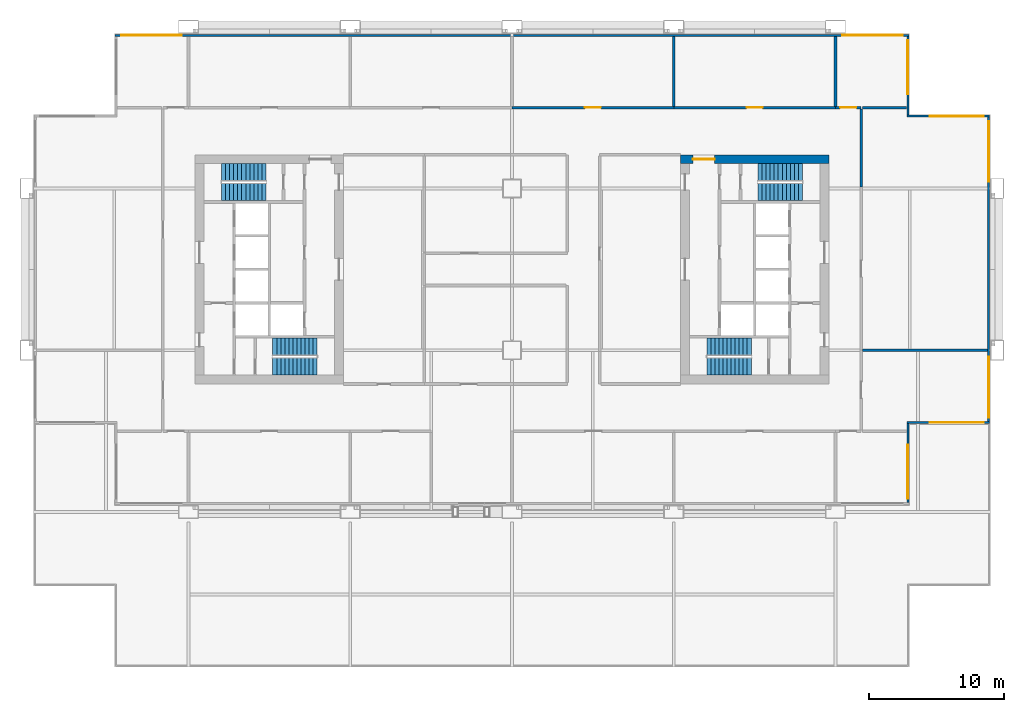
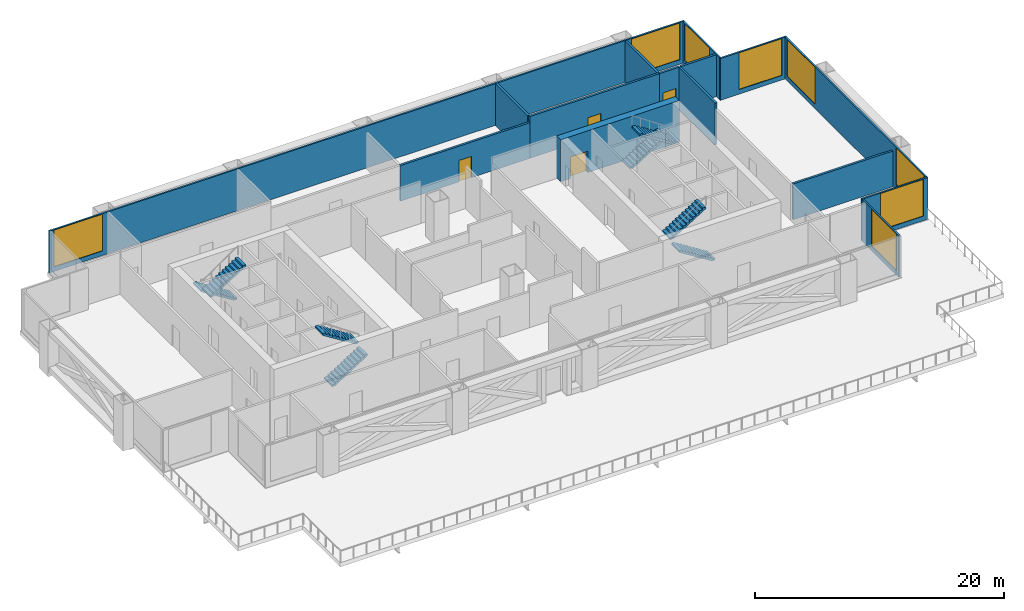
# One storey, part 7 of 8: 15 walls, 8 stair flights, 8 windows, 4 doors, 12 openings, 4 elements without a shape of their own.
"""IFC4 building model written with IfcOpenShell, lengths in metres."""

from ifc_helpers import new_model, si_unit, direction, frame, frame_2d, origin, place, context, subcontext, project, spatial, polyline, rectangle, outline, extrude, material, layer, layer_set, type_object, element, fill, aggregate, save


model = new_model("IFC4")

# Units and contexts
model_context = context("Model", 3, precision=1e-05, world=origin(), true_north=direction((0.0, 1.0)))
body_context = subcontext(model_context, "Body", "Model", "MODEL_VIEW")
ifc_project = project(units=[si_unit("LENGTHUNIT", "METRE"), si_unit("AREAUNIT", "SQUARE_METRE"), si_unit("VOLUMEUNIT", "CUBIC_METRE"), si_unit("PLANEANGLEUNIT", "RADIAN"), si_unit("MASSUNIT", "GRAM", prefix="KILO")], contexts=[model_context])

# Site, building, storey
site_placement = place(None, origin())
site = spatial("IfcSite", under=ifc_project, at=site_placement, CompositionType="ELEMENT")
building_placement = place(site_placement, origin())
building = spatial("IfcBuilding", under=site, at=building_placement, Name="Kitamizu Gate Tower and Museum", CompositionType="ELEMENT")
storey_placement = place(building_placement, frame((0.0, 0.0, 92.10009765625)))
storey = spatial("IfcBuildingStorey", under=building, at=storey_placement, Name="L23", CompositionType="ELEMENT", Elevation=92.10009765625)

# Wall, opening, door
ifc_material_1 = material(Name="Concrete Fc60", Category="concrete")
ifc_layer_1 = layer(ifc_material_1, 0.64990234375)
ifc_layer_set_1 = layer_set([ifc_layer_1], Name="Concrete Fc60")
wall_type_1 = type_object("IfcWallType", Name="Core wall 650", PredefinedType="SHEAR", material=ifc_layer_set_1)
wall_1_placement = place(storey_placement, frame((59.5, 38.175048828125, 0.0), z_axis=(0.0, 0.0, 1.0), x_axis=(-1.0, 0.0, 0.0)))
wall_1 = element("IfcWall", 1, at=wall_1_placement, inside=storey, type_object=wall_type_1, Name="Core wall EN", PredefinedType="SHEAR", context=body_context, shape_type="SweptSolid", body=[
    extrude(rectangle(XDim=11.0, YDim=0.64990234375, at=frame_2d((5.5, 0.0))), origin(), (0.0, 0.0, 1.0), 4.099853515625),
])
opening_1_placement = place(wall_1_placement, frame((8.47509765625, 0.0, 0.0)))
opening_1 = element("IfcOpeningElement", 2, at=opening_1_placement, cuts=wall_1, Name="Opening L23-039", PredefinedType="OPENING", context=body_context, shape_type="SweptSolid", body=[
    extrude(rectangle(XDim=1.60009765625, YDim=2.10009765625, at=frame_2d((0.800048828125, 1.050048828125))), frame((0.0, 0.3349609375, 0.0), z_axis=(0.0, -1.0, 0.0), x_axis=(1.0, 0.0, 0.0)), (0.0, 0.0, 1.0), 0.669921875),
])
ifc_material_2 = material(Name="Timber door set", Category="wood")
door_type_1 = type_object("IfcDoorType", Name="Entrance door 1600", OperationType="DOUBLE_DOOR_SINGLE_SWING", PredefinedType="DOOR", material=ifc_material_2)
door_1_placement = place(opening_1_placement, origin())
door_1 = element("IfcDoor", 3, at=door_1_placement, inside=storey, type_object=door_type_1, Name="Lobby door L23-039", OperationType="DOUBLE_DOOR_SINGLE_SWING", OverallHeight=2.10009765625, OverallWidth=1.60009765625, PredefinedType="DOOR", context=body_context, shape_type="SweptSolid", body=[
    extrude(rectangle(XDim=1.60009765625, YDim=2.10009765625, at=frame_2d((0.800048828125, 1.050048828125))), frame((0.0, 0.02490234375, 0.0), z_axis=(0.0, -1.0, 0.0), x_axis=(1.0, 0.0, 0.0)), (0.0, 0.0, 1.0), 0.050048828125),
])
fill(opening_1, door_1)

ifc_material_3 = material(Name="Gypsum board on galvanised stud")
ifc_layer_2 = layer(ifc_material_3, 0.199951171875)
ifc_layer_set_2 = layer_set([ifc_layer_2], Name="Gypsum board on galvanised stud")
wall_type_2 = type_object("IfcWallType", Name="Partition 200", PredefinedType="PARTITIONING", material=ifc_layer_set_2)
wall_2_placement = place(storey_placement, frame((48.0, 42.0, 0.0), z_axis=(0.0, 0.0, 1.0), x_axis=(-1.0, 0.0, 0.0)))
wall_2 = element("IfcWall", 4, at=wall_2_placement, inside=storey, type_object=wall_type_2, Name="Partition L23-019", PredefinedType="PARTITIONING", context=body_context, shape_type="SweptSolid", body=[
    extrude(rectangle(XDim=12.0, YDim=0.199951171875, at=frame_2d((6.0, 0.0))), origin(), (0.0, 0.0, 1.0), 3.5),
])
opening_2_placement = place(wall_2_placement, frame((5.39990234375, 0.0, 0.0)))
opening_2 = element("IfcOpeningElement", 5, at=opening_2_placement, cuts=wall_2, Name="Opening L23-012", PredefinedType="OPENING", context=body_context, shape_type="SweptSolid", body=[
    extrude(rectangle(XDim=1.199951171875, YDim=2.10009765625, at=frame_2d((0.60009765625, 1.050048828125))), frame((0.0, 0.10986328125, 0.0), z_axis=(0.0, -1.0, 0.0), x_axis=(1.0, 0.0, 0.0)), (0.0, 0.0, 1.0), 0.219970703125),
])
ifc_material_4 = material(Name="Timber door set", Category="wood")
door_type_2 = type_object("IfcDoorType", Name="Plant room door 1200", OperationType="DOUBLE_DOOR_SINGLE_SWING", PredefinedType="DOOR", material=ifc_material_4)
door_2_placement = place(opening_2_placement, origin())
door_2 = element("IfcDoor", 6, at=door_2_placement, inside=storey, type_object=door_type_2, Name="Plant room door L23-012", OperationType="DOUBLE_DOOR_SINGLE_SWING", OverallHeight=2.10009765625, OverallWidth=1.199951171875, PredefinedType="DOOR", context=body_context, shape_type="SweptSolid", body=[
    extrude(rectangle(XDim=1.199951171875, YDim=2.10009765625, at=frame_2d((0.60009765625, 1.050048828125))), frame((0.0, 0.02490234375, 0.0), z_axis=(0.0, -1.0, 0.0), x_axis=(1.0, 0.0, 0.0)), (0.0, 0.0, 1.0), 0.050048828125),
])
fill(opening_2, door_2)

wall_3_placement = place(storey_placement, frame((60.0, 42.0, 0.0), z_axis=(0.0, 0.0, 1.0), x_axis=(-1.0, 0.0, 0.0)))
wall_3 = element("IfcWall", 7, at=wall_3_placement, inside=storey, type_object=wall_type_2, Name="Partition L23-020", PredefinedType="PARTITIONING", context=body_context, shape_type="SweptSolid", body=[
    extrude(rectangle(XDim=12.0, YDim=0.199951171875, at=frame_2d((6.0, 0.0))), origin(), (0.0, 0.0, 1.0), 4.099853515625),
])
opening_3_placement = place(wall_3_placement, frame((5.39990234375, 0.0, 0.0)))
opening_3 = element("IfcOpeningElement", 8, at=opening_3_placement, cuts=wall_3, Name="Opening L23-013", PredefinedType="OPENING", context=body_context, shape_type="SweptSolid", body=[
    extrude(rectangle(XDim=1.199951171875, YDim=2.10009765625, at=frame_2d((0.60009765625, 1.050048828125))), frame((0.0, 0.10986328125, 0.0), z_axis=(0.0, -1.0, 0.0), x_axis=(1.0, 0.0, 0.0)), (0.0, 0.0, 1.0), 0.219970703125),
])
door_3_placement = place(opening_3_placement, origin())
door_3 = element("IfcDoor", 9, at=door_3_placement, inside=storey, type_object=door_type_2, Name="Plant room door L23-013", OperationType="DOUBLE_DOOR_SINGLE_SWING", OverallHeight=2.10009765625, OverallWidth=1.199951171875, PredefinedType="DOOR", context=body_context, shape_type="SweptSolid", body=[
    extrude(rectangle(XDim=1.199951171875, YDim=2.10009765625, at=frame_2d((0.60009765625, 1.050048828125))), frame((0.0, 0.02490234375, 0.0), z_axis=(0.0, -1.0, 0.0), x_axis=(1.0, 0.0, 0.0)), (0.0, 0.0, 1.0), 0.050048828125),
])
fill(opening_3, door_3)

wall_4_placement = place(storey_placement, frame((61.89990234375, 42.0, 0.0), z_axis=(0.0, 0.0, 1.0), x_axis=(-1.0, 0.0, 0.0)))
wall_4 = element("IfcWall", 10, at=wall_4_placement, inside=storey, type_object=wall_type_2, Name="Partition L23-021", PredefinedType="PARTITIONING", context=body_context, shape_type="SweptSolid", body=[
    extrude(rectangle(XDim=1.89990234375, YDim=0.199951171875, at=frame_2d((0.949951171875, 0.0))), origin(), (0.0, 0.0, 1.0), 4.099853515625),
])
opening_4_placement = place(wall_4_placement, frame((0.35009765625, 0.0, 0.0)))
opening_4 = element("IfcOpeningElement", 11, at=opening_4_placement, cuts=wall_4, Name="Opening L23-014", PredefinedType="OPENING", context=body_context, shape_type="SweptSolid", body=[
    extrude(rectangle(XDim=1.199951171875, YDim=2.10009765625, at=frame_2d((0.60009765625, 1.050048828125))), frame((0.0, 0.10986328125, 0.0), z_axis=(0.0, -1.0, 0.0), x_axis=(1.0, 0.0, 0.0)), (0.0, 0.0, 1.0), 0.219970703125),
])
door_4_placement = place(opening_4_placement, origin())
door_4 = element("IfcDoor", 12, at=door_4_placement, inside=storey, type_object=door_type_2, Name="Plant room door L23-014", OperationType="DOUBLE_DOOR_SINGLE_SWING", OverallHeight=2.10009765625, OverallWidth=1.199951171875, PredefinedType="DOOR", context=body_context, shape_type="SweptSolid", body=[
    extrude(rectangle(XDim=1.199951171875, YDim=2.10009765625, at=frame_2d((0.60009765625, 1.050048828125))), frame((0.0, 0.02490234375, 0.0), z_axis=(0.0, -1.0, 0.0), x_axis=(1.0, 0.0, 0.0)), (0.0, 0.0, 1.0), 0.050048828125),
])
fill(opening_4, door_4)

# Walls
wall_5_placement = place(storey_placement, frame((61.89990234375, 36.10009765625, 0.0), z_axis=(0.0, 0.0, 1.0), x_axis=(0.0, 1.0, 0.0)))
element("IfcWall", 13, at=wall_5_placement, inside=storey, type_object=wall_type_2, Name="Partition L23-026", PredefinedType="PARTITIONING", context=body_context, shape_type="SweptSolid", body=[
    extrude(rectangle(XDim=5.7998046875, YDim=0.199951171875, at=frame_2d((2.89990234375, 0.0))), origin(), (0.0, 0.0, 1.0), 4.099853515625),
])
for number, where, z_axis, x_axis, name in (
    (14, (48.0, 42.10009765625, 0.0), (0.0, 0.0, 1.0), (0.0, 1.0, 0.0), "Partition L23-053"),
    (15, (60.0, 42.10009765625, 0.0), (0.0, 0.0, 1.0), (0.0, 1.0, 0.0), "Partition L23-054"),
):
    element("IfcWall", number, at=place(storey_placement, frame(where, z_axis=z_axis, x_axis=x_axis)), inside=storey, type_object=wall_type_2, Name=name, PredefinedType="PARTITIONING", context=body_context, shape_type="SweptSolid", body=[
        extrude(rectangle(XDim=5.179931640625, YDim=0.199951171875, at=frame_2d((2.58984375, 0.0))), origin(), (0.0, 0.0, 1.0), 4.099853515625),
    ])
wall_6_placement = place(storey_placement, frame((62.0, 42.0, 0.0), z_axis=(0.0, 0.0, 1.0), x_axis=(1.0, 0.0, 0.0)))
element("IfcWall", 16, at=wall_6_placement, inside=storey, type_object=wall_type_2, Name="Partition L23-055", PredefinedType="PARTITIONING", context=body_context, shape_type="SweptSolid", body=[
    extrude(rectangle(XDim=3.280029296875, YDim=0.199951171875, at=frame_2d((1.64013671875, 0.0))), origin(), (0.0, 0.0, 1.0), 4.099853515625),
])
wall_7_placement = place(storey_placement, frame((71.280029296875, 24.0, 0.0), z_axis=(0.0, 0.0, 1.0), x_axis=(-1.0, 0.0, 0.0)))
element("IfcWall", 17, at=wall_7_placement, inside=storey, type_object=wall_type_2, Name="Partition L23-057", PredefinedType="PARTITIONING", context=body_context, shape_type="SweptSolid", body=[
    extrude(rectangle(XDim=9.280029296875, YDim=0.199951171875, at=frame_2d((4.64013671875, 0.0))), origin(), (0.0, 0.0, 1.0), 3.5),
])

# Wall, opening, window
ifc_material_5 = material(Name="Bronze anodised aluminium frame with insulated spandrel and tinted glass", Category="aluminium")
ifc_layer_3 = layer(ifc_material_5, 0.14990234375)
ifc_layer_set_3 = layer_set([ifc_layer_3], Name="Bronze anodised aluminium frame with insulated spandrel and tinted glass")
wall_type_3 = type_object("IfcWallType", Name="WINDOW WALL 150 BRONZE FRAME EI 60", PredefinedType="ELEMENTEDWALL", material=ifc_layer_set_3)
wall_8_placement = place(storey_placement, frame((65.364990234375, 12.7099609375, 0.0), z_axis=(0.0, 0.0, 1.0), x_axis=(0.0, 1.0, 0.0)))
wall_8 = element("IfcWall", 18, at=wall_8_placement, inside=storey, type_object=wall_type_3, Name="Window wall east L23", PredefinedType="ELEMENTEDWALL", context=body_context, shape_type="SweptSolid", body=[
    extrude(rectangle(XDim=5.85009765625, YDim=0.14990234375, at=frame_2d((2.925048828125, 0.0))), origin(), (0.0, 0.0, 1.0), 4.099853515625),
])
opening_5_placement = place(wall_8_placement, frame((0.2900390625, 0.0, 0.449951171875)))
opening_5 = element("IfcOpeningElement", 19, at=opening_5_placement, cuts=wall_8, Name="Opening W18", PredefinedType="OPENING", context=body_context, shape_type="SweptSolid", body=[
    extrude(rectangle(XDim=4.0, YDim=3.60009765625, at=frame_2d((2.0, 1.800048828125))), frame((0.0, 0.0849609375, 0.0), z_axis=(0.0, -1.0, 0.0), x_axis=(1.0, 0.0, 0.0)), (0.0, 0.0, 1.0), 0.169921875),
])
ifc_material_6 = material(Name="Bronze anodised aluminium frame, tinted triple glazing", Category="aluminium")
window_type_1 = type_object("IfcWindowType", Name="WINDOW 4000 x 3600 SILL 450", PartitioningType="SINGLE_PANEL", PredefinedType="WINDOW", material=ifc_material_6)
window_1_placement = place(opening_5_placement, origin())
window_1 = element("IfcWindow", 20, at=window_1_placement, inside=storey, type_object=window_type_1, Name="Window W18 L23", OverallHeight=3.60009765625, OverallWidth=4.0, PartitioningType="SINGLE_PANEL", PredefinedType="WINDOW", context=body_context, shape_type="SweptSolid", body=[
    extrude(rectangle(XDim=4.0, YDim=3.60009765625, at=frame_2d((2.0, 1.800048828125))), frame((0.0, 0.030029296875, 0.0), z_axis=(0.0, -1.0, 0.0), x_axis=(1.0, 0.0, 0.0)), (0.0, 0.0, 1.0), 0.06005859375),
])
fill(opening_5, window_1)

wall_9_placement = place(storey_placement, frame((65.2900390625, 18.635009765625, 0.0), z_axis=(0.0, 0.0, 1.0), x_axis=(1.0, 0.0, 0.0)))
wall_9 = element("IfcWall", 21, at=wall_9_placement, inside=storey, type_object=wall_type_3, Name="Window wall south L23", PredefinedType="ELEMENTEDWALL", context=body_context, shape_type="SweptSolid", body=[
    extrude(rectangle(XDim=6.14990234375, YDim=0.14990234375, at=frame_2d((3.074951171875, 0.0))), origin(), (0.0, 0.0, 1.0), 4.099853515625),
])
opening_6_placement = place(wall_9_placement, frame((1.7099609375, 0.0, 0.449951171875)))
opening_6 = element("IfcOpeningElement", 22, at=opening_6_placement, cuts=wall_9, Name="Opening W18", PredefinedType="OPENING", context=body_context, shape_type="SweptSolid", body=[
    extrude(rectangle(XDim=4.0, YDim=3.60009765625, at=frame_2d((2.0, 1.800048828125))), frame((0.0, 0.0849609375, 0.0), z_axis=(0.0, -1.0, 0.0), x_axis=(1.0, 0.0, 0.0)), (0.0, 0.0, 1.0), 0.169921875),
])
window_2_placement = place(opening_6_placement, origin())
window_2 = element("IfcWindow", 23, at=window_2_placement, inside=storey, type_object=window_type_1, Name="Window W18 L23", OverallHeight=3.60009765625, OverallWidth=4.0, PartitioningType="SINGLE_PANEL", PredefinedType="WINDOW", context=body_context, shape_type="SweptSolid", body=[
    extrude(rectangle(XDim=4.0, YDim=3.60009765625, at=frame_2d((2.0, 1.800048828125))), frame((0.0, 0.030029296875, 0.0), z_axis=(0.0, -1.0, 0.0), x_axis=(1.0, 0.0, 0.0)), (0.0, 0.0, 1.0), 0.06005859375),
])
fill(opening_6, window_2)

# Wall, openings, windows
wall_10_placement = place(storey_placement, frame((71.364990234375, 18.7099609375, 0.0), z_axis=(0.0, 0.0, 1.0), x_axis=(0.0, 1.0, 0.0)))
wall_10 = element("IfcWall", 24, at=wall_10_placement, inside=storey, type_object=wall_type_3, Name="Window wall east L23", PredefinedType="ELEMENTEDWALL", context=body_context, shape_type="SweptSolid", body=[
    extrude(rectangle(XDim=22.580078125, YDim=0.14990234375, at=frame_2d((11.2900390625, 0.0))), origin(), (0.0, 0.0, 1.0), 4.099853515625),
])
opening_7_placement = place(wall_10_placement, frame((0.2900390625, 0.0, 0.449951171875)))
opening_7 = element("IfcOpeningElement", 25, at=opening_7_placement, cuts=wall_10, Name="Opening W17", PredefinedType="OPENING", context=body_context, shape_type="SweptSolid", body=[
    extrude(rectangle(XDim=4.5, YDim=3.60009765625, at=frame_2d((2.25, 1.800048828125))), frame((0.0, 0.0849609375, 0.0), z_axis=(0.0, -1.0, 0.0), x_axis=(1.0, 0.0, 0.0)), (0.0, 0.0, 1.0), 0.169921875),
])
opening_8_placement = place(wall_10_placement, frame((17.7900390625, 0.0, 0.449951171875)))
opening_8 = element("IfcOpeningElement", 26, at=opening_8_placement, cuts=wall_10, Name="Opening W17", PredefinedType="OPENING", context=body_context, shape_type="SweptSolid", body=[
    extrude(rectangle(XDim=4.5, YDim=3.60009765625, at=frame_2d((2.25, 1.800048828125))), frame((0.0, 0.0849609375, 0.0), z_axis=(0.0, -1.0, 0.0), x_axis=(1.0, 0.0, 0.0)), (0.0, 0.0, 1.0), 0.169921875),
])
ifc_material_7 = material(Name="Bronze anodised aluminium frame, tinted triple glazing", Category="aluminium")
window_type_2 = type_object("IfcWindowType", Name="WINDOW 4500 x 3600 SILL 450", PartitioningType="SINGLE_PANEL", PredefinedType="WINDOW", material=ifc_material_7)
window_3_placement = place(opening_7_placement, origin())
window_3 = element("IfcWindow", 27, at=window_3_placement, inside=storey, type_object=window_type_2, Name="Window W17 L23", OverallHeight=3.60009765625, OverallWidth=4.5, PartitioningType="SINGLE_PANEL", PredefinedType="WINDOW", context=body_context, shape_type="SweptSolid", body=[
    extrude(rectangle(XDim=4.5, YDim=3.60009765625, at=frame_2d((2.25, 1.800048828125))), frame((0.0, 0.030029296875, 0.0), z_axis=(0.0, -1.0, 0.0), x_axis=(1.0, 0.0, 0.0)), (0.0, 0.0, 1.0), 0.06005859375),
])
fill(opening_7, window_3)
window_4_placement = place(opening_8_placement, origin())
window_4 = element("IfcWindow", 28, at=window_4_placement, inside=storey, type_object=window_type_2, Name="Window W17 L23", OverallHeight=3.60009765625, OverallWidth=4.5, PartitioningType="SINGLE_PANEL", PredefinedType="WINDOW", context=body_context, shape_type="SweptSolid", body=[
    extrude(rectangle(XDim=4.5, YDim=3.60009765625, at=frame_2d((2.25, 1.800048828125))), frame((0.0, 0.030029296875, 0.0), z_axis=(0.0, -1.0, 0.0), x_axis=(1.0, 0.0, 0.0)), (0.0, 0.0, 1.0), 0.06005859375),
])
fill(opening_8, window_4)

# Wall, opening, window
wall_11_placement = place(storey_placement, frame((65.2900390625, 41.364990234375, 0.0), z_axis=(0.0, 0.0, 1.0), x_axis=(1.0, 0.0, 0.0)))
wall_11 = element("IfcWall", 29, at=wall_11_placement, inside=storey, type_object=wall_type_3, Name="Window wall north L23", PredefinedType="ELEMENTEDWALL", context=body_context, shape_type="SweptSolid", body=[
    extrude(rectangle(XDim=6.14990234375, YDim=0.14990234375, at=frame_2d((3.074951171875, 0.0))), origin(), (0.0, 0.0, 1.0), 4.099853515625),
])
opening_9_placement = place(wall_11_placement, frame((1.7099609375, 0.0, 0.449951171875)))
opening_9 = element("IfcOpeningElement", 30, at=opening_9_placement, cuts=wall_11, Name="Opening W18", PredefinedType="OPENING", context=body_context, shape_type="SweptSolid", body=[
    extrude(rectangle(XDim=4.0, YDim=3.60009765625, at=frame_2d((2.0, 1.800048828125))), frame((0.0, 0.0849609375, 0.0), z_axis=(0.0, -1.0, 0.0), x_axis=(1.0, 0.0, 0.0)), (0.0, 0.0, 1.0), 0.169921875),
])
window_5_placement = place(opening_9_placement, origin())
window_5 = element("IfcWindow", 31, at=window_5_placement, inside=storey, type_object=window_type_1, Name="Window W18 L23", OverallHeight=3.60009765625, OverallWidth=4.0, PartitioningType="SINGLE_PANEL", PredefinedType="WINDOW", context=body_context, shape_type="SweptSolid", body=[
    extrude(rectangle(XDim=4.0, YDim=3.60009765625, at=frame_2d((2.0, 1.800048828125))), frame((0.0, 0.030029296875, 0.0), z_axis=(0.0, -1.0, 0.0), x_axis=(1.0, 0.0, 0.0)), (0.0, 0.0, 1.0), 0.06005859375),
])
fill(opening_9, window_5)

wall_12_placement = place(storey_placement, frame((65.364990234375, 41.43994140625, 0.0), z_axis=(0.0, 0.0, 1.0), x_axis=(0.0, 1.0, 0.0)))
wall_12 = element("IfcWall", 32, at=wall_12_placement, inside=storey, type_object=wall_type_3, Name="Window wall east L23", PredefinedType="ELEMENTEDWALL", context=body_context, shape_type="SweptSolid", body=[
    extrude(rectangle(XDim=5.85009765625, YDim=0.14990234375, at=frame_2d((2.925048828125, 0.0))), origin(), (0.0, 0.0, 1.0), 4.099853515625),
])
opening_10_placement = place(wall_12_placement, frame((1.56005859375, 0.0, 0.449951171875)))
opening_10 = element("IfcOpeningElement", 33, at=opening_10_placement, cuts=wall_12, Name="Opening W18", PredefinedType="OPENING", context=body_context, shape_type="SweptSolid", body=[
    extrude(rectangle(XDim=4.0, YDim=3.60009765625, at=frame_2d((2.0, 1.800048828125))), frame((0.0, 0.0849609375, 0.0), z_axis=(0.0, -1.0, 0.0), x_axis=(1.0, 0.0, 0.0)), (0.0, 0.0, 1.0), 0.169921875),
])
window_6_placement = place(opening_10_placement, origin())
window_6 = element("IfcWindow", 34, at=window_6_placement, inside=storey, type_object=window_type_1, Name="Window W18 L23", OverallHeight=3.60009765625, OverallWidth=4.0, PartitioningType="SINGLE_PANEL", PredefinedType="WINDOW", context=body_context, shape_type="SweptSolid", body=[
    extrude(rectangle(XDim=4.0, YDim=3.60009765625, at=frame_2d((2.0, 1.800048828125))), frame((0.0, 0.030029296875, 0.0), z_axis=(0.0, -1.0, 0.0), x_axis=(1.0, 0.0, 0.0)), (0.0, 0.0, 1.0), 0.06005859375),
])
fill(opening_10, window_6)

# Wall, openings, windows
wall_13_placement = place(storey_placement, frame((6.56005859375, 47.364990234375, 0.0), z_axis=(0.0, 0.0, 1.0), x_axis=(1.0, 0.0, 0.0)))
wall_13 = element("IfcWall", 35, at=wall_13_placement, inside=storey, type_object=wall_type_3, Name="Window wall north L23", PredefinedType="ELEMENTEDWALL", context=body_context, shape_type="SweptSolid", body=[
    extrude(rectangle(XDim=58.8798828125, YDim=0.14990234375, at=frame_2d((29.43994140625, 0.0))), origin(), (0.0, 0.0, 1.0), 4.099853515625),
])
opening_11_placement = place(wall_13_placement, frame((0.43994140625, 0.0, 0.449951171875)))
opening_11 = element("IfcOpeningElement", 36, at=opening_11_placement, cuts=wall_13, Name="Opening W17", PredefinedType="OPENING", context=body_context, shape_type="SweptSolid", body=[
    extrude(rectangle(XDim=4.5, YDim=3.60009765625, at=frame_2d((2.25, 1.800048828125))), frame((0.0, 0.0849609375, 0.0), z_axis=(0.0, -1.0, 0.0), x_axis=(1.0, 0.0, 0.0)), (0.0, 0.0, 1.0), 0.169921875),
])
opening_12_placement = place(wall_13_placement, frame((53.93994140625, 0.0, 0.449951171875)))
opening_12 = element("IfcOpeningElement", 37, at=opening_12_placement, cuts=wall_13, Name="Opening W17", PredefinedType="OPENING", context=body_context, shape_type="SweptSolid", body=[
    extrude(rectangle(XDim=4.5, YDim=3.60009765625, at=frame_2d((2.25, 1.800048828125))), frame((0.0, 0.0849609375, 0.0), z_axis=(0.0, -1.0, 0.0), x_axis=(1.0, 0.0, 0.0)), (0.0, 0.0, 1.0), 0.169921875),
])
window_7_placement = place(opening_11_placement, origin())
window_7 = element("IfcWindow", 38, at=window_7_placement, inside=storey, type_object=window_type_2, Name="Window W17 L23", OverallHeight=3.60009765625, OverallWidth=4.5, PartitioningType="SINGLE_PANEL", PredefinedType="WINDOW", context=body_context, shape_type="SweptSolid", body=[
    extrude(rectangle(XDim=4.5, YDim=3.60009765625, at=frame_2d((2.25, 1.800048828125))), frame((0.0, 0.030029296875, 0.0), z_axis=(0.0, -1.0, 0.0), x_axis=(1.0, 0.0, 0.0)), (0.0, 0.0, 1.0), 0.06005859375),
])
fill(opening_11, window_7)
window_8_placement = place(opening_12_placement, origin())
window_8 = element("IfcWindow", 39, at=window_8_placement, inside=storey, type_object=window_type_2, Name="Window W17 L23", OverallHeight=3.60009765625, OverallWidth=4.5, PartitioningType="SINGLE_PANEL", PredefinedType="WINDOW", context=body_context, shape_type="SweptSolid", body=[
    extrude(rectangle(XDim=4.5, YDim=3.60009765625, at=frame_2d((2.25, 1.800048828125))), frame((0.0, 0.030029296875, 0.0), z_axis=(0.0, -1.0, 0.0), x_axis=(1.0, 0.0, 0.0)), (0.0, 0.0, 1.0), 0.06005859375),
])
fill(opening_12, window_8)

# Stair, stair flights
ifc_material_8 = material(Name="Concrete Fc42", Category="concrete")
stair_type = type_object("IfcStairType", Name="Exit stair 1275 wide 188 rise 300 going", PredefinedType="HALF_TURN_STAIR", material=ifc_material_8)
stair_1_placement = place(storey_placement, origin())
stair_1 = element("IfcStair", 40, at=stair_1_placement, inside=storey, type_object=stair_type, Name="Exit stair ST1", PredefinedType="HALF_TURN_STAIR")
ifc_material_9 = material(Name="Concrete Fc42", Category="concrete")
stair_flight_type = type_object("IfcStairFlightType", Name="Stair flight 1275 wide 188 rise 300 going", PredefinedType="STRAIGHT", material=ifc_material_9)
stair_flight_1_placement = place(storey_placement, frame((18.25, 22.78759765625, 0.0), z_axis=(0.0, 0.0, 1.0), x_axis=(1.0, 0.0, 0.0)))
stair_flight_1 = element("IfcStairFlight", 41, at=stair_flight_1_placement, type_object=stair_flight_type, Name="ST1 flight 1", NumberOfRisers=12, NumberOfTreads=11, PredefinedType="STRAIGHT", RiserHeight=0.1875, TreadLength=0.3, context=body_context, shape_type="SweptSolid", body=[
    extrude(outline(polyline([(0.0, 0.0), (0.0, 0.1875), (0.300048828125, 0.1875), (0.300048828125, 0.375), (0.60009765625, 0.375), (0.60009765625, 0.5625), (0.89990234375, 0.5625), (0.89990234375, 0.75), (1.199951171875, 0.75), (1.199951171875, 0.9375), (1.5, 0.9375), (1.5, 1.125), (1.800048828125, 1.125), (1.800048828125, 1.3125), (2.10009765625, 1.3125), (2.10009765625, 1.5), (2.39990234375, 1.5), (2.39990234375, 1.6875), (2.699951171875, 1.6875), (2.699951171875, 1.875), (3.0, 1.875), (3.0, 2.0625), (3.300048828125, 2.0625), (3.300048828125, 2.25), (3.300048828125, 1.8857421875), (0.28271484375, 0.0), (0.0, 0.0)])), frame((0.0, 0.637451171875, 0.0), z_axis=(0.0, -1.0, 0.0), x_axis=(1.0, 0.0, 0.0)), (0.0, 0.0, 1.0), 1.27490234375),
])
stair_flight_2_placement = place(storey_placement, frame((21.550048828125, 24.262451171875, 2.25), z_axis=(0.0, 0.0, 1.0), x_axis=(-1.0, 0.0, 0.0)))
stair_flight_2 = element("IfcStairFlight", 42, at=stair_flight_2_placement, type_object=stair_flight_type, Name="ST1 flight 2", NumberOfRisers=12, NumberOfTreads=11, PredefinedType="STRAIGHT", RiserHeight=0.1875, TreadLength=0.3, context=body_context, shape_type="SweptSolid", body=[
    extrude(outline(polyline([(0.0, 0.0), (0.0, 0.1875), (0.300048828125, 0.1875), (0.300048828125, 0.375), (0.60009765625, 0.375), (0.60009765625, 0.5625), (0.89990234375, 0.5625), (0.89990234375, 0.75), (1.199951171875, 0.75), (1.199951171875, 0.9375), (1.5, 0.9375), (1.5, 1.125), (1.800048828125, 1.125), (1.800048828125, 1.3125), (2.10009765625, 1.3125), (2.10009765625, 1.5), (2.39990234375, 1.5), (2.39990234375, 1.6875), (2.699951171875, 1.6875), (2.699951171875, 1.875), (3.0, 1.875), (3.0, 2.0625), (3.300048828125, 2.0625), (3.300048828125, 2.25), (3.300048828125, 1.8857421875), (0.28271484375, 0.0), (0.0, 0.0)])), frame((0.0, 0.637451171875, 0.0), z_axis=(0.0, -1.0, 0.0), x_axis=(1.0, 0.0, 0.0)), (0.0, 0.0, 1.0), 1.27490234375),
])
aggregate(stair_1, [stair_flight_1, stair_flight_2])

stair_2_placement = place(storey_placement, origin())
stair_2 = element("IfcStair", 43, at=stair_2_placement, inside=storey, type_object=stair_type, Name="Exit stair ST2", PredefinedType="HALF_TURN_STAIR")
stair_flight_3_placement = place(storey_placement, frame((17.75, 37.21240234375, 0.0), z_axis=(0.0, 0.0, 1.0), x_axis=(-1.0, 0.0, 0.0)))
stair_flight_3 = element("IfcStairFlight", 44, at=stair_flight_3_placement, type_object=stair_flight_type, Name="ST2 flight 1", NumberOfRisers=12, NumberOfTreads=11, PredefinedType="STRAIGHT", RiserHeight=0.1875, TreadLength=0.3, context=body_context, shape_type="SweptSolid", body=[
    extrude(outline(polyline([(0.0, 0.0), (0.0, 0.1875), (0.300048828125, 0.1875), (0.300048828125, 0.375), (0.60009765625, 0.375), (0.60009765625, 0.5625), (0.89990234375, 0.5625), (0.89990234375, 0.75), (1.199951171875, 0.75), (1.199951171875, 0.9375), (1.5, 0.9375), (1.5, 1.125), (1.800048828125, 1.125), (1.800048828125, 1.3125), (2.10009765625, 1.3125), (2.10009765625, 1.5), (2.39990234375, 1.5), (2.39990234375, 1.6875), (2.699951171875, 1.6875), (2.699951171875, 1.875), (3.0, 1.875), (3.0, 2.0625), (3.300048828125, 2.0625), (3.300048828125, 2.25), (3.300048828125, 1.8857421875), (0.28271484375, 0.0), (0.0, 0.0)])), frame((0.0, 0.637451171875, 0.0), z_axis=(0.0, -1.0, 0.0), x_axis=(1.0, 0.0, 0.0)), (0.0, 0.0, 1.0), 1.27490234375),
])
stair_flight_4_placement = place(storey_placement, frame((14.449951171875, 35.737548828125, 2.25), z_axis=(0.0, 0.0, 1.0), x_axis=(1.0, 0.0, 0.0)))
stair_flight_4 = element("IfcStairFlight", 45, at=stair_flight_4_placement, type_object=stair_flight_type, Name="ST2 flight 2", NumberOfRisers=12, NumberOfTreads=11, PredefinedType="STRAIGHT", RiserHeight=0.1875, TreadLength=0.3, context=body_context, shape_type="SweptSolid", body=[
    extrude(outline(polyline([(0.0, 0.0), (0.0, 0.1875), (0.300048828125, 0.1875), (0.300048828125, 0.375), (0.60009765625, 0.375), (0.60009765625, 0.5625), (0.89990234375, 0.5625), (0.89990234375, 0.75), (1.199951171875, 0.75), (1.199951171875, 0.9375), (1.5, 0.9375), (1.5, 1.125), (1.800048828125, 1.125), (1.800048828125, 1.3125), (2.10009765625, 1.3125), (2.10009765625, 1.5), (2.39990234375, 1.5), (2.39990234375, 1.6875), (2.699951171875, 1.6875), (2.699951171875, 1.875), (3.0, 1.875), (3.0, 2.0625), (3.300048828125, 2.0625), (3.300048828125, 2.25), (3.300048828125, 1.8857421875), (0.28271484375, 0.0), (0.0, 0.0)])), frame((0.0, 0.637451171875, 0.0), z_axis=(0.0, -1.0, 0.0), x_axis=(1.0, 0.0, 0.0)), (0.0, 0.0, 1.0), 1.27490234375),
])
aggregate(stair_2, [stair_flight_3, stair_flight_4])

stair_3_placement = place(storey_placement, origin())
stair_3 = element("IfcStair", 46, at=stair_3_placement, inside=storey, type_object=stair_type, Name="Exit stair ST3", PredefinedType="HALF_TURN_STAIR")
stair_flight_5_placement = place(storey_placement, frame((53.75, 22.78759765625, 0.0), z_axis=(0.0, 0.0, 1.0), x_axis=(-1.0, 0.0, 0.0)))
stair_flight_5 = element("IfcStairFlight", 47, at=stair_flight_5_placement, type_object=stair_flight_type, Name="ST3 flight 1", NumberOfRisers=12, NumberOfTreads=11, PredefinedType="STRAIGHT", RiserHeight=0.1875, TreadLength=0.3, context=body_context, shape_type="SweptSolid", body=[
    extrude(outline(polyline([(0.0, 0.0), (0.0, 0.1875), (0.300048828125, 0.1875), (0.300048828125, 0.375), (0.60009765625, 0.375), (0.60009765625, 0.5625), (0.89990234375, 0.5625), (0.89990234375, 0.75), (1.199951171875, 0.75), (1.199951171875, 0.9375), (1.5, 0.9375), (1.5, 1.125), (1.800048828125, 1.125), (1.800048828125, 1.3125), (2.10009765625, 1.3125), (2.10009765625, 1.5), (2.39990234375, 1.5), (2.39990234375, 1.6875), (2.699951171875, 1.6875), (2.699951171875, 1.875), (3.0, 1.875), (3.0, 2.0625), (3.300048828125, 2.0625), (3.300048828125, 2.25), (3.300048828125, 1.8857421875), (0.28271484375, 0.0), (0.0, 0.0)])), frame((0.0, 0.637451171875, 0.0), z_axis=(0.0, -1.0, 0.0), x_axis=(1.0, 0.0, 0.0)), (0.0, 0.0, 1.0), 1.27490234375),
])
stair_flight_6_placement = place(storey_placement, frame((50.449951171875, 24.262451171875, 2.25), z_axis=(0.0, 0.0, 1.0), x_axis=(1.0, 0.0, 0.0)))
stair_flight_6 = element("IfcStairFlight", 48, at=stair_flight_6_placement, type_object=stair_flight_type, Name="ST3 flight 2", NumberOfRisers=12, NumberOfTreads=11, PredefinedType="STRAIGHT", RiserHeight=0.1875, TreadLength=0.3, context=body_context, shape_type="SweptSolid", body=[
    extrude(outline(polyline([(0.0, 0.0), (0.0, 0.1875), (0.300048828125, 0.1875), (0.300048828125, 0.375), (0.60009765625, 0.375), (0.60009765625, 0.5625), (0.89990234375, 0.5625), (0.89990234375, 0.75), (1.199951171875, 0.75), (1.199951171875, 0.9375), (1.5, 0.9375), (1.5, 1.125), (1.800048828125, 1.125), (1.800048828125, 1.3125), (2.10009765625, 1.3125), (2.10009765625, 1.5), (2.39990234375, 1.5), (2.39990234375, 1.6875), (2.699951171875, 1.6875), (2.699951171875, 1.875), (3.0, 1.875), (3.0, 2.0625), (3.300048828125, 2.0625), (3.300048828125, 2.25), (3.300048828125, 1.8857421875), (0.28271484375, 0.0), (0.0, 0.0)])), frame((0.0, 0.637451171875, 0.0), z_axis=(0.0, -1.0, 0.0), x_axis=(1.0, 0.0, 0.0)), (0.0, 0.0, 1.0), 1.27490234375),
])
aggregate(stair_3, [stair_flight_5, stair_flight_6])

stair_4_placement = place(storey_placement, origin())
stair_4 = element("IfcStair", 49, at=stair_4_placement, inside=storey, type_object=stair_type, Name="Exit stair ST4", PredefinedType="HALF_TURN_STAIR")
stair_flight_7_placement = place(storey_placement, frame((54.25, 37.21240234375, 0.0), z_axis=(0.0, 0.0, 1.0), x_axis=(1.0, 0.0, 0.0)))
stair_flight_7 = element("IfcStairFlight", 50, at=stair_flight_7_placement, type_object=stair_flight_type, Name="ST4 flight 1", NumberOfRisers=12, NumberOfTreads=11, PredefinedType="STRAIGHT", RiserHeight=0.1875, TreadLength=0.3, context=body_context, shape_type="SweptSolid", body=[
    extrude(outline(polyline([(0.0, 0.0), (0.0, 0.1875), (0.300048828125, 0.1875), (0.300048828125, 0.375), (0.60009765625, 0.375), (0.60009765625, 0.5625), (0.89990234375, 0.5625), (0.89990234375, 0.75), (1.199951171875, 0.75), (1.199951171875, 0.9375), (1.5, 0.9375), (1.5, 1.125), (1.800048828125, 1.125), (1.800048828125, 1.3125), (2.10009765625, 1.3125), (2.10009765625, 1.5), (2.39990234375, 1.5), (2.39990234375, 1.6875), (2.699951171875, 1.6875), (2.699951171875, 1.875), (3.0, 1.875), (3.0, 2.0625), (3.300048828125, 2.0625), (3.300048828125, 2.25), (3.300048828125, 1.8857421875), (0.28271484375, 0.0), (0.0, 0.0)])), frame((0.0, 0.637451171875, 0.0), z_axis=(0.0, -1.0, 0.0), x_axis=(1.0, 0.0, 0.0)), (0.0, 0.0, 1.0), 1.27490234375),
])
stair_flight_8_placement = place(storey_placement, frame((57.550048828125, 35.737548828125, 2.25), z_axis=(0.0, 0.0, 1.0), x_axis=(-1.0, 0.0, 0.0)))
stair_flight_8 = element("IfcStairFlight", 51, at=stair_flight_8_placement, type_object=stair_flight_type, Name="ST4 flight 2", NumberOfRisers=12, NumberOfTreads=11, PredefinedType="STRAIGHT", RiserHeight=0.1875, TreadLength=0.3, context=body_context, shape_type="SweptSolid", body=[
    extrude(outline(polyline([(0.0, 0.0), (0.0, 0.1875), (0.300048828125, 0.1875), (0.300048828125, 0.375), (0.60009765625, 0.375), (0.60009765625, 0.5625), (0.89990234375, 0.5625), (0.89990234375, 0.75), (1.199951171875, 0.75), (1.199951171875, 0.9375), (1.5, 0.9375), (1.5, 1.125), (1.800048828125, 1.125), (1.800048828125, 1.3125), (2.10009765625, 1.3125), (2.10009765625, 1.5), (2.39990234375, 1.5), (2.39990234375, 1.6875), (2.699951171875, 1.6875), (2.699951171875, 1.875), (3.0, 1.875), (3.0, 2.0625), (3.300048828125, 2.0625), (3.300048828125, 2.25), (3.300048828125, 1.8857421875), (0.28271484375, 0.0), (0.0, 0.0)])), frame((0.0, 0.637451171875, 0.0), z_axis=(0.0, -1.0, 0.0), x_axis=(1.0, 0.0, 0.0)), (0.0, 0.0, 1.0), 1.27490234375),
])
aggregate(stair_4, [stair_flight_7, stair_flight_8])

save(model, "model.ifc")
